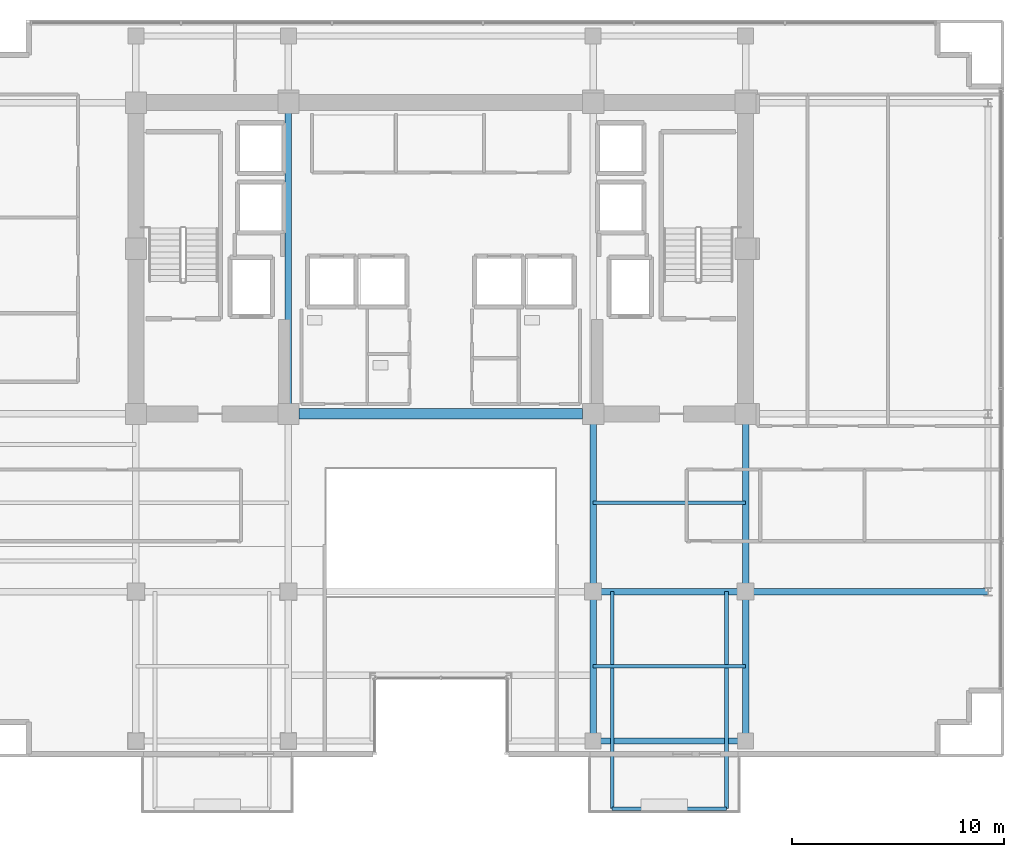
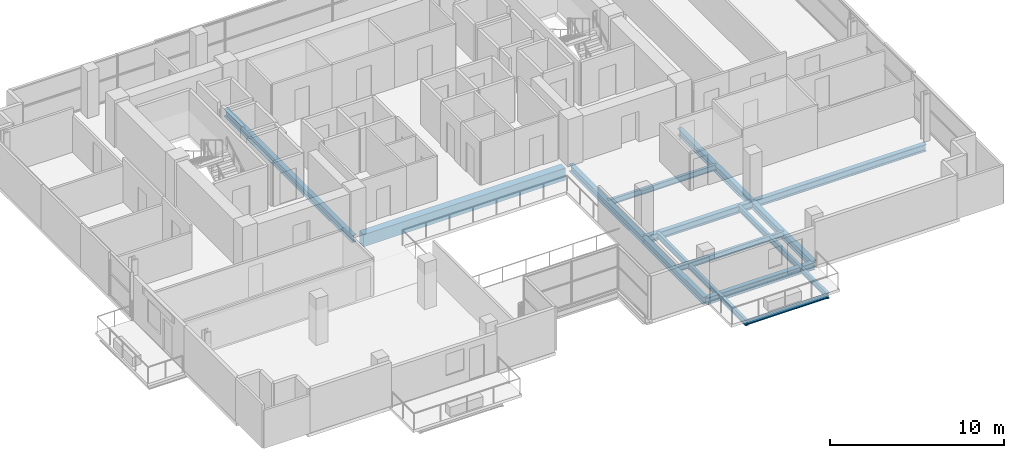
# One storey, part 6 of 22: 14 beams.
"""IFC4 building model written with IfcOpenShell, lengths in metres."""

from ifc_helpers import new_model, si_unit, direction, frame, origin, origin_2d, place, context, subcontext, project, spatial, rectangle, i_section, extrude, material, material_profile, profile_set, type_object, element, save


model = new_model("IFC4")

# Units and contexts
model_context = context("Model", 3, precision=1e-05, world=origin(), true_north=direction((0.0, 1.0)))
body_context = subcontext(model_context, "Body", "Model", "MODEL_VIEW")
ifc_project = project(units=[si_unit("LENGTHUNIT", "METRE"), si_unit("AREAUNIT", "SQUARE_METRE"), si_unit("VOLUMEUNIT", "CUBIC_METRE"), si_unit("PLANEANGLEUNIT", "RADIAN"), si_unit("MASSUNIT", "GRAM", prefix="KILO")], contexts=[model_context])

# Site, building, storey
site_placement = place(None, origin())
site = spatial("IfcSite", under=ifc_project, at=site_placement, CompositionType="ELEMENT")
building_placement = place(site_placement, origin())
building = spatial("IfcBuilding", under=site, at=building_placement, Name="Zarnakvel Exchange Tower", CompositionType="ELEMENT")
storey_placement = place(building_placement, frame((0.0, 0.0, 192.39990234375)))
storey = spatial("IfcBuildingStorey", under=building, at=storey_placement, Name="L54", CompositionType="ELEMENT", Elevation=192.39990234375)

# Beams
ifc_material_1 = material(Name="Steel S355", Category="steel")
ifc_material_profile_1 = material_profile(ifc_material_1, i_section(OverallWidth=0.179931640625, OverallDepth=0.39990234375, WebThickness=0.008544921875, FlangeThickness=0.013427734375, FilletRadius=0.02099609375, at=origin_2d()))
ifc_profile_set_1 = profile_set([ifc_material_profile_1], Name="Steel S355")
beam_type_1 = type_object("IfcBeamType", Name="B-06", PredefinedType="JOIST", material=ifc_profile_set_1)
for number, where, z_axis, x_axis, name in (
    (1, (7.199951171875, -13.125, -0.4248046875), (1.0, 0.0, 0.0), (0.0, 1.0, 0.0), "L54 Composite Floor Secondary Joist"),
    (2, (7.199951171875, -5.39990234375, -0.4248046875), (1.0, 0.0, 0.0), (0.0, 1.0, 0.0), "L54 Composite Floor Secondary Joist"),
):
    element("IfcBeam", number, at=place(storey_placement, frame(where, z_axis=z_axis, x_axis=x_axis)), inside=storey, type_object=beam_type_1, Name=name, PredefinedType="JOIST", context=body_context, shape_type="SweptSolid", body=[
        extrude(i_section(OverallWidth=0.179931640625, OverallDepth=0.39990234375, WebThickness=0.008544921875, FlangeThickness=0.013427734375, FilletRadius=0.02099609375, at=origin_2d()), origin(), (0.0, 0.0, 1.0), 7.199951171875),
    ])
for number, where, z_axis, x_axis, name in (
    (3, (8.10009765625, -9.60009765625, -0.4248046875), (0.0, -1.0, 0.0), (1.0, 0.0, 0.0), "L54 Continuous Back-Spanned Balcony Beam W"),
    (4, (13.5, -9.60009765625, -0.4248046875), (0.0, -1.0, 0.0), (1.0, 0.0, 0.0), "L54 Continuous Back-Spanned Balcony Beam E"),
):
    element("IfcBeam", number, at=place(storey_placement, frame(where, z_axis=z_axis, x_axis=x_axis)), inside=storey, type_object=beam_type_1, Name=name, PredefinedType="JOIST", context=body_context, shape_type="SweptSolid", body=[
        extrude(i_section(OverallWidth=0.179931640625, OverallDepth=0.39990234375, WebThickness=0.008544921875, FlangeThickness=0.013427734375, FilletRadius=0.02099609375, at=origin_2d()), origin(), (0.0, 0.0, 1.0), 10.25),
    ])
ifc_material_profile_2 = material_profile(ifc_material_1, i_section(OverallWidth=0.14990234375, OverallDepth=0.300048828125, WebThickness=0.007080078125, FlangeThickness=0.0107421875, FilletRadius=0.014892578125, at=origin_2d()))
ifc_profile_set_2 = profile_set([ifc_material_profile_2], Name="Steel S355")
beam_type_2 = type_object("IfcBeamType", Name="B-08", PredefinedType="JOIST", material=ifc_profile_set_2)
beam_1_placement = place(storey_placement, frame((8.10009765625, -19.85009765625, -0.375), z_axis=(1.0, 0.0, 0.0), x_axis=(0.0, 1.0, 0.0)))
element("IfcBeam", 5, at=beam_1_placement, inside=storey, type_object=beam_type_2, Name="L54 Balcony Edge Beam", PredefinedType="JOIST", context=body_context, shape_type="SweptSolid", body=[
    extrude(i_section(OverallWidth=0.14990234375, OverallDepth=0.300048828125, WebThickness=0.007080078125, FlangeThickness=0.0107421875, FilletRadius=0.014892578125, at=origin_2d()), origin(), (0.0, 0.0, 1.0), 5.39990234375),
])
ifc_material_2 = material(Name="Concrete C60/75", Category="concrete")
ifc_material_profile_3 = material_profile(ifc_material_2, rectangle(XDim=0.5, YDim=0.85009765625, at=origin_2d()))
ifc_profile_set_3 = profile_set([ifc_material_profile_3], Name="Concrete C60/75")
beam_type_3 = type_object("IfcBeamType", Name="CB-02", PredefinedType="LINTEL", material=ifc_profile_set_3)
beam_2_placement = place(storey_placement, frame((-6.699951171875, -1.199951171875, -0.64990234375), z_axis=(1.0, 0.0, 0.0), x_axis=(0.0, 1.0, 0.0)))
element("IfcBeam", 6, at=beam_2_placement, inside=storey, type_object=beam_type_3, Name="L54 Rear Core South Coupling Beam (CB-02)", PredefinedType="LINTEL", context=body_context, shape_type="SweptSolid", body=[
    extrude(rectangle(XDim=0.5, YDim=0.85009765625, at=origin_2d()), origin(), (0.0, 0.0, 1.0), 13.39990234375),
])
ifc_material_profile_4 = material_profile(ifc_material_1, i_section(OverallWidth=0.300048828125, OverallDepth=0.5, WebThickness=0.014404296875, FlangeThickness=0.028076171875, FilletRadius=0.027099609375, at=origin_2d()))
ifc_profile_set_4 = profile_set([ifc_material_profile_4], Name="Steel S355")
beam_type_4 = type_object("IfcBeamType", Name="G-06", PredefinedType="BEAM", material=ifc_profile_set_4)
beam_3_placement = place(storey_placement, frame((7.199951171875, -9.60009765625, -0.474853515625), z_axis=(1.0, 0.0, 0.0), x_axis=(0.0, 1.0, 0.0)))
element("IfcBeam", 7, at=beam_3_placement, inside=storey, type_object=beam_type_4, Name="L54 Tower E-W Frame Beam", PredefinedType="BEAM", context=body_context, shape_type="SweptSolid", body=[
    extrude(i_section(OverallWidth=0.300048828125, OverallDepth=0.5, WebThickness=0.014404296875, FlangeThickness=0.028076171875, FilletRadius=0.027099609375, at=origin_2d()), origin(), (0.0, 0.0, 1.0), 7.199951171875),
])
beam_4_placement = place(storey_placement, frame((14.39990234375, -9.60009765625, -0.474853515625), z_axis=(1.0, 0.0, 0.0), x_axis=(0.0, 1.0, 0.0)))
element("IfcBeam", 8, at=beam_4_placement, inside=storey, type_object=beam_type_4, Name="L54 Tower E-W Frame Beam", PredefinedType="BEAM", context=body_context, shape_type="SweptSolid", body=[
    extrude(i_section(OverallWidth=0.300048828125, OverallDepth=0.5, WebThickness=0.014404296875, FlangeThickness=0.028076171875, FilletRadius=0.027099609375, at=origin_2d()), origin(), (0.0, 0.0, 1.0), 11.4501953125),
])
beam_5_placement = place(storey_placement, frame((-7.199951171875, -1.199951171875, -0.474853515625), z_axis=(0.0, 1.0, 0.0), x_axis=(-1.0, 0.0, 0.0)))
element("IfcBeam", 9, at=beam_5_placement, inside=storey, type_object=beam_type_4, Name="L54 Tower N-S Frame Beam", PredefinedType="BEAM", context=body_context, shape_type="SweptSolid", body=[
    extrude(i_section(OverallWidth=0.300048828125, OverallDepth=0.5, WebThickness=0.014404296875, FlangeThickness=0.028076171875, FilletRadius=0.027099609375, at=origin_2d()), origin(), (0.0, 0.0, 1.0), 14.699951171875),
])
beam_6_placement = place(storey_placement, frame((7.199951171875, -16.64990234375, -0.474853515625), z_axis=(0.0, 1.0, 0.0), x_axis=(-1.0, 0.0, 0.0)))
element("IfcBeam", 10, at=beam_6_placement, inside=storey, type_object=beam_type_4, Name="L54 Tower N-S Frame Beam", PredefinedType="BEAM", context=body_context, shape_type="SweptSolid", body=[
    extrude(i_section(OverallWidth=0.300048828125, OverallDepth=0.5, WebThickness=0.014404296875, FlangeThickness=0.028076171875, FilletRadius=0.027099609375, at=origin_2d()), origin(), (0.0, 0.0, 1.0), 7.0498046875),
])
beam_7_placement = place(storey_placement, frame((7.199951171875, -9.60009765625, -0.474853515625), z_axis=(0.0, 1.0, 0.0), x_axis=(-1.0, 0.0, 0.0)))
element("IfcBeam", 11, at=beam_7_placement, inside=storey, type_object=beam_type_4, Name="L54 Tower N-S Frame Beam", PredefinedType="BEAM", context=body_context, shape_type="SweptSolid", body=[
    extrude(i_section(OverallWidth=0.300048828125, OverallDepth=0.5, WebThickness=0.014404296875, FlangeThickness=0.028076171875, FilletRadius=0.027099609375, at=origin_2d()), origin(), (0.0, 0.0, 1.0), 8.400146484375),
])
beam_8_placement = place(storey_placement, frame((14.39990234375, -16.64990234375, -0.474853515625), z_axis=(0.0, 1.0, 0.0), x_axis=(-1.0, 0.0, 0.0)))
element("IfcBeam", 12, at=beam_8_placement, inside=storey, type_object=beam_type_4, Name="L54 Tower N-S Frame Beam", PredefinedType="BEAM", context=body_context, shape_type="SweptSolid", body=[
    extrude(i_section(OverallWidth=0.300048828125, OverallDepth=0.5, WebThickness=0.014404296875, FlangeThickness=0.028076171875, FilletRadius=0.027099609375, at=origin_2d()), origin(), (0.0, 0.0, 1.0), 7.0498046875),
])
beam_9_placement = place(storey_placement, frame((14.39990234375, -9.60009765625, -0.474853515625), z_axis=(0.0, 1.0, 0.0), x_axis=(-1.0, 0.0, 0.0)))
element("IfcBeam", 13, at=beam_9_placement, inside=storey, type_object=beam_type_4, Name="L54 Tower N-S Frame Beam", PredefinedType="BEAM", context=body_context, shape_type="SweptSolid", body=[
    extrude(i_section(OverallWidth=0.300048828125, OverallDepth=0.5, WebThickness=0.014404296875, FlangeThickness=0.028076171875, FilletRadius=0.027099609375, at=origin_2d()), origin(), (0.0, 0.0, 1.0), 8.400146484375),
])
ifc_material_profile_5 = material_profile(ifc_material_1, i_section(OverallWidth=0.300048828125, OverallDepth=0.5, WebThickness=0.014404296875, FlangeThickness=0.028076171875, FilletRadius=0.027099609375, at=origin_2d()))
ifc_profile_set_5 = profile_set([ifc_material_profile_5], Name="Steel S355")
beam_type_5 = type_object("IfcBeamType", Name="SP-02", PredefinedType="SPANDREL", material=ifc_profile_set_5)
beam_10_placement = place(storey_placement, frame((7.199951171875, -16.64990234375, -0.474853515625), z_axis=(1.0, 0.0, 0.0), x_axis=(0.0, 1.0, 0.0)))
element("IfcBeam", 14, at=beam_10_placement, inside=storey, type_object=beam_type_5, Name="L54 Tower E-W Frame Beam", PredefinedType="SPANDREL", context=body_context, shape_type="SweptSolid", body=[
    extrude(i_section(OverallWidth=0.300048828125, OverallDepth=0.5, WebThickness=0.014404296875, FlangeThickness=0.028076171875, FilletRadius=0.027099609375, at=origin_2d()), origin(), (0.0, 0.0, 1.0), 7.199951171875),
])

save(model, "model.ifc")
